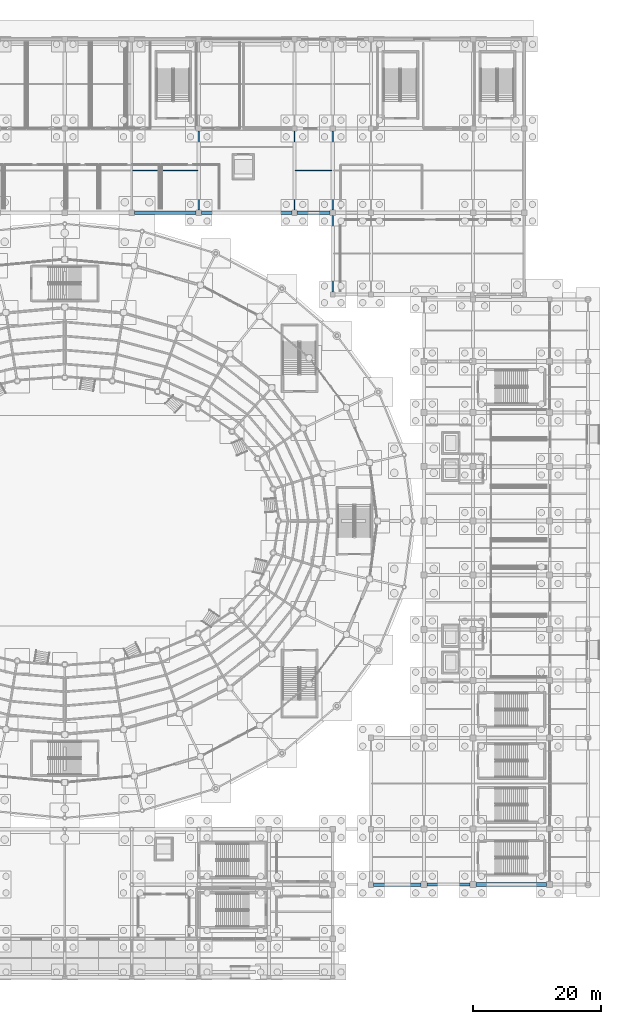
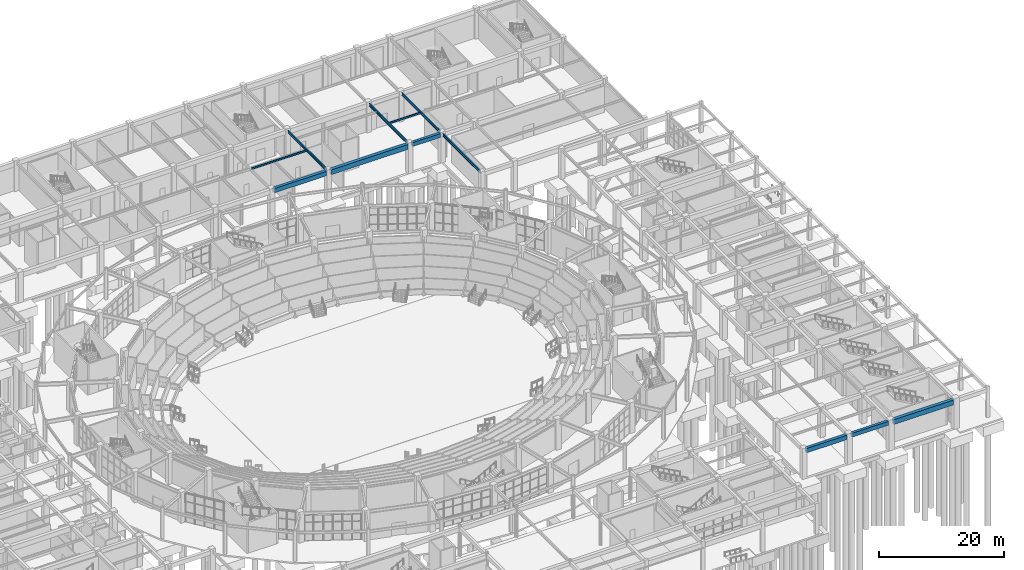
# One storey, part 52 of 121: 12 beams.
"""IFC4 building model written with IfcOpenShell, lengths in metres."""

from ifc_helpers import new_model, si_unit, direction, frame, origin, origin_2d, place, context, subcontext, project, spatial, rectangle, i_section, extrude, material, material_profile, profile_set, type_object, element, save


model = new_model("IFC4")

# Units and contexts
model_context = context("Model", 3, precision=1e-05, world=origin(), true_north=direction((0.0, 1.0)))
body_context = subcontext(model_context, "Body", "Model", "MODEL_VIEW")
ifc_project = project(units=[si_unit("LENGTHUNIT", "METRE"), si_unit("AREAUNIT", "SQUARE_METRE"), si_unit("VOLUMEUNIT", "CUBIC_METRE"), si_unit("PLANEANGLEUNIT", "RADIAN"), si_unit("MASSUNIT", "GRAM", prefix="KILO")], contexts=[model_context])

# Site, building, storey
site_placement = place(None, origin())
site = spatial("IfcSite", under=ifc_project, at=site_placement, CompositionType="ELEMENT")
building_placement = place(site_placement, origin())
building = spatial("IfcBuilding", under=site, at=building_placement, Name="Cuetzalor Civic Arena", CompositionType="ELEMENT")
storey_placement = place(building_placement, origin())
storey = spatial("IfcBuildingStorey", under=building, at=storey_placement, Name="L00", CompositionType="ELEMENT", Elevation=0.0)

# Beams
ifc_material_1 = material(Name="Concrete C40/50", Category="concrete")
ifc_material_profile_1 = material_profile(ifc_material_1, rectangle(XDim=0.5, YDim=0.75, at=origin_2d()), Name="RC 500x750")
ifc_profile_set_1 = profile_set([ifc_material_profile_1], Name="Concrete C40/50")
beam_type_1 = type_object("IfcBeamType", Name="ConcreteFrameBeam_500x750", PredefinedType="BEAM", material=ifc_profile_set_1)
beam_1_placement = place(storey_placement, frame((56.764892578125, -57.0, 5.324951171875), z_axis=(1.0, 0.0, 0.0), x_axis=(0.0, 1.0, 0.0)))
element("IfcBeam", 1, at=beam_1_placement, inside=storey, type_object=beam_type_1, Name="Frame Girder V4E-L00-X0136", PredefinedType="BEAM", context=body_context, shape_type="SweptSolid", body=[
    extrude(rectangle(XDim=0.5, YDim=0.75, at=origin_2d()), origin(), (0.0, 0.0, 1.0), 6.77001953125),
])
beam_2_placement = place(storey_placement, frame((36.4150390625, 48.300048828125, 5.324951171875), z_axis=(1.0, 0.0, 0.0), x_axis=(0.0, 1.0, 0.0)))
element("IfcBeam", 2, at=beam_2_placement, inside=storey, type_object=beam_type_1, Name="Frame Girder V5-L00-X0229", PredefinedType="BEAM", context=body_context, shape_type="SweptSolid", body=[
    extrude(rectangle(XDim=0.5, YDim=0.75, at=origin_2d()), origin(), (0.0, 0.0, 1.0), 5.169921875),
])
ifc_material_2 = material(Name="Concrete C40/50", Category="concrete")
ifc_material_profile_2 = material_profile(ifc_material_2, rectangle(XDim=0.550048828125, YDim=0.85009765625, at=origin_2d()), Name="RC 550x850")
ifc_profile_set_2 = profile_set([ifc_material_profile_2], Name="Concrete C40/50")
beam_type_2 = type_object("IfcBeamType", Name="ConcreteFrameBeam_550x850", PredefinedType="BEAM", material=ifc_profile_set_2)
beam_3_placement = place(storey_placement, frame((48.4150390625, -57.0, 5.27490234375), z_axis=(1.0, 0.0, 0.0), x_axis=(0.0, 1.0, 0.0)))
element("IfcBeam", 3, at=beam_3_placement, inside=storey, type_object=beam_type_2, Name="Frame Girder V4E-L00-X0135", PredefinedType="BEAM", context=body_context, shape_type="SweptSolid", body=[
    extrude(rectangle(XDim=0.550048828125, YDim=0.85009765625, at=origin_2d()), origin(), (0.0, 0.0, 1.0), 7.419921875),
])
beam_4_placement = place(storey_placement, frame((10.9150390625, 48.300048828125, 5.27490234375), z_axis=(1.0, 0.0, 0.0), x_axis=(0.0, 1.0, 0.0)))
element("IfcBeam", 4, at=beam_4_placement, inside=storey, type_object=beam_type_2, Name="Frame Girder V5-L00-X0227", PredefinedType="BEAM", context=body_context, shape_type="SweptSolid", body=[
    extrude(rectangle(XDim=0.550048828125, YDim=0.85009765625, at=origin_2d()), origin(), (0.0, 0.0, 1.0), 9.669921875),
])
ifc_material_3 = material(Name="Concrete C40/50", Category="concrete")
ifc_material_profile_3 = material_profile(ifc_material_3, rectangle(XDim=0.60009765625, YDim=0.949951171875, at=origin_2d()), Name="RC 600x950")
ifc_profile_set_3 = profile_set([ifc_material_profile_3], Name="Concrete C40/50")
beam_type_3 = type_object("IfcBeamType", Name="ConcreteFrameBeam_600x950", PredefinedType="BEAM", material=ifc_profile_set_3)
beam_5_placement = place(storey_placement, frame((64.465087890625, -57.0, 5.22509765625), z_axis=(1.0, 0.0, 0.0), x_axis=(0.0, 1.0, 0.0)))
element("IfcBeam", 5, at=beam_5_placement, inside=storey, type_object=beam_type_3, Name="Frame Girder V4E-L00-X0137", PredefinedType="BEAM", context=body_context, shape_type="SweptSolid", body=[
    extrude(rectangle(XDim=0.60009765625, YDim=0.949951171875, at=origin_2d()), origin(), (0.0, 0.0, 1.0), 11.06982421875),
])
beam_6_placement = place(storey_placement, frame((21.4150390625, 48.300048828125, 5.22509765625), z_axis=(1.0, 0.0, 0.0), x_axis=(0.0, 1.0, 0.0)))
element("IfcBeam", 6, at=beam_6_placement, inside=storey, type_object=beam_type_3, Name="Frame Girder V5-L00-X0228", PredefinedType="BEAM", context=body_context, shape_type="SweptSolid", body=[
    extrude(rectangle(XDim=0.60009765625, YDim=0.949951171875, at=origin_2d()), origin(), (0.0, 0.0, 1.0), 14.169921875),
])
ifc_material_4 = material(Name="Steel S355", Category="steel")
ifc_material_profile_4 = material_profile(ifc_material_4, i_section(OverallWidth=0.1708984375, OverallDepth=0.35498046875, WebThickness=0.007080078125, FlangeThickness=0.01171875, at=origin_2d()), Name="W360x51")
ifc_profile_set_4 = profile_set([ifc_material_profile_4], Name="Steel S355")
beam_type_4 = type_object("IfcBeamType", Name="SecondaryFloorJoist_W360", PredefinedType="JOIST", material=ifc_profile_set_4)
beam_7_placement = place(storey_placement, frame((10.596435546875, 54.89990234375, 5.5224609375), z_axis=(1.0, 0.0, 0.0), x_axis=(0.0, 1.0, 0.0)))
element("IfcBeam", 7, at=beam_7_placement, inside=storey, type_object=beam_type_4, Name="Secondary Floor Joist V5-L00-0079", PredefinedType="JOIST", context=body_context, shape_type="SweptSolid", body=[
    extrude(i_section(OverallWidth=0.1708984375, OverallDepth=0.35498046875, WebThickness=0.007080078125, FlangeThickness=0.01171875, at=origin_2d()), origin(), (0.0, 0.0, 1.0), 10.30712890625),
])
beam_8_placement = place(storey_placement, frame((36.096435546875, 54.89990234375, 5.5224609375), z_axis=(1.0, 0.0, 0.0), x_axis=(0.0, 1.0, 0.0)))
element("IfcBeam", 8, at=beam_8_placement, inside=storey, type_object=beam_type_4, Name="Secondary Floor Joist V5-L00-0082", PredefinedType="JOIST", context=body_context, shape_type="SweptSolid", body=[
    extrude(i_section(OverallWidth=0.1708984375, OverallDepth=0.35498046875, WebThickness=0.007080078125, FlangeThickness=0.01171875, at=origin_2d()), origin(), (0.0, 0.0, 1.0), 5.80712890625),
])
ifc_material_5 = material(Name="Steel S355", Category="steel")
ifc_material_profile_5 = material_profile(ifc_material_5, i_section(OverallWidth=0.208984375, OverallDepth=0.532958984375, WebThickness=0.01025390625, FlangeThickness=0.015625, at=origin_2d()), Name="W530x92")
ifc_profile_set_5 = profile_set([ifc_material_profile_5], Name="Steel S355")
beam_type_5 = type_object("IfcBeamType", Name="SteelCollarGirder_W530", PredefinedType="BEAM", material=ifc_profile_set_5)
for number, where, z_axis, x_axis, name in (
    (9, (21.0, 48.715087890625, 5.43359375), (0.0, 1.0, 0.0), (-1.0, 0.0, 0.0), "Frame Girder V5-L00-Y0273"),
    (10, (36.0, 48.715087890625, 5.43359375), (0.0, 1.0, 0.0), (-1.0, 0.0, 0.0), "Frame Girder V5-L00-Y0275"),
):
    element("IfcBeam", number, at=place(storey_placement, frame(where, z_axis=z_axis, x_axis=x_axis)), inside=storey, type_object=beam_type_5, Name=name, PredefinedType="BEAM", context=body_context, shape_type="SweptSolid", body=[
        extrude(i_section(OverallWidth=0.208984375, OverallDepth=0.532958984375, WebThickness=0.01025390625, FlangeThickness=0.015625, at=origin_2d()), origin(), (0.0, 0.0, 1.0), 12.369873046875),
    ])
beam_9_placement = place(storey_placement, frame((42.0, 35.864990234375, 5.43359375), z_axis=(0.0, 1.0, 0.0), x_axis=(-1.0, 0.0, 0.0)))
element("IfcBeam", 11, at=beam_9_placement, inside=storey, type_object=beam_type_5, Name="Frame Girder V5-L00-Y0277", PredefinedType="BEAM", context=body_context, shape_type="SweptSolid", body=[
    extrude(i_section(OverallWidth=0.208984375, OverallDepth=0.532958984375, WebThickness=0.01025390625, FlangeThickness=0.015625, at=origin_2d()), origin(), (0.0, 0.0, 1.0), 12.02001953125),
])
beam_10_placement = place(storey_placement, frame((42.0, 48.715087890625, 5.43359375), z_axis=(0.0, 1.0, 0.0), x_axis=(-1.0, 0.0, 0.0)))
element("IfcBeam", 12, at=beam_10_placement, inside=storey, type_object=beam_type_5, Name="Frame Girder V5-L00-Y0278", PredefinedType="BEAM", context=body_context, shape_type="SweptSolid", body=[
    extrude(i_section(OverallWidth=0.208984375, OverallDepth=0.532958984375, WebThickness=0.01025390625, FlangeThickness=0.015625, at=origin_2d()), origin(), (0.0, 0.0, 1.0), 12.369873046875),
])

save(model, "model.ifc")
